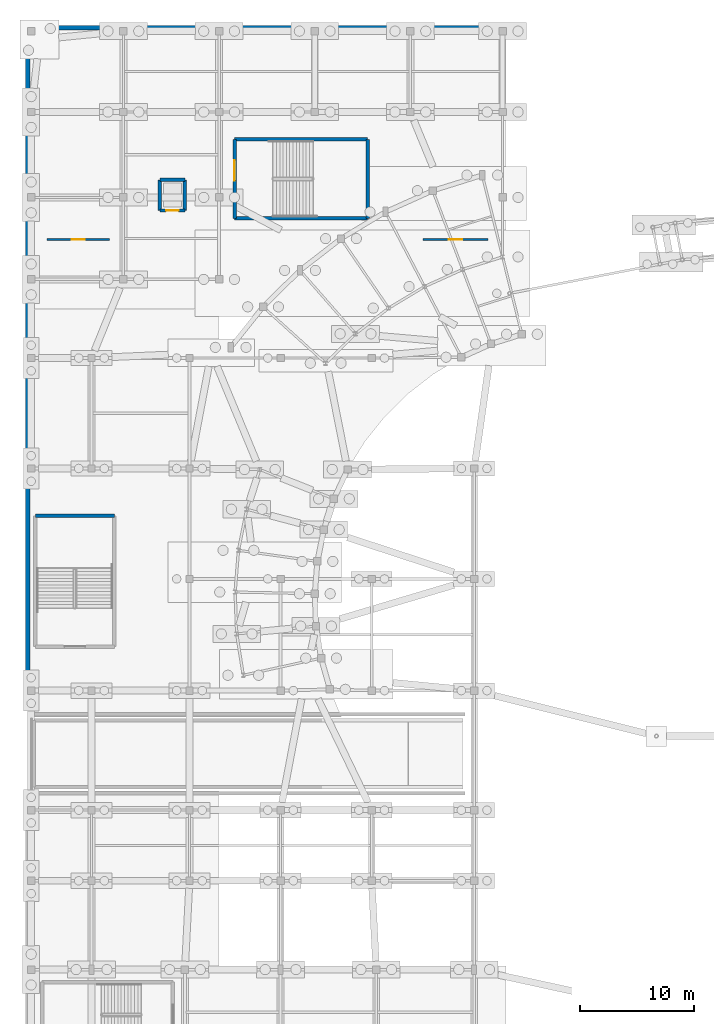
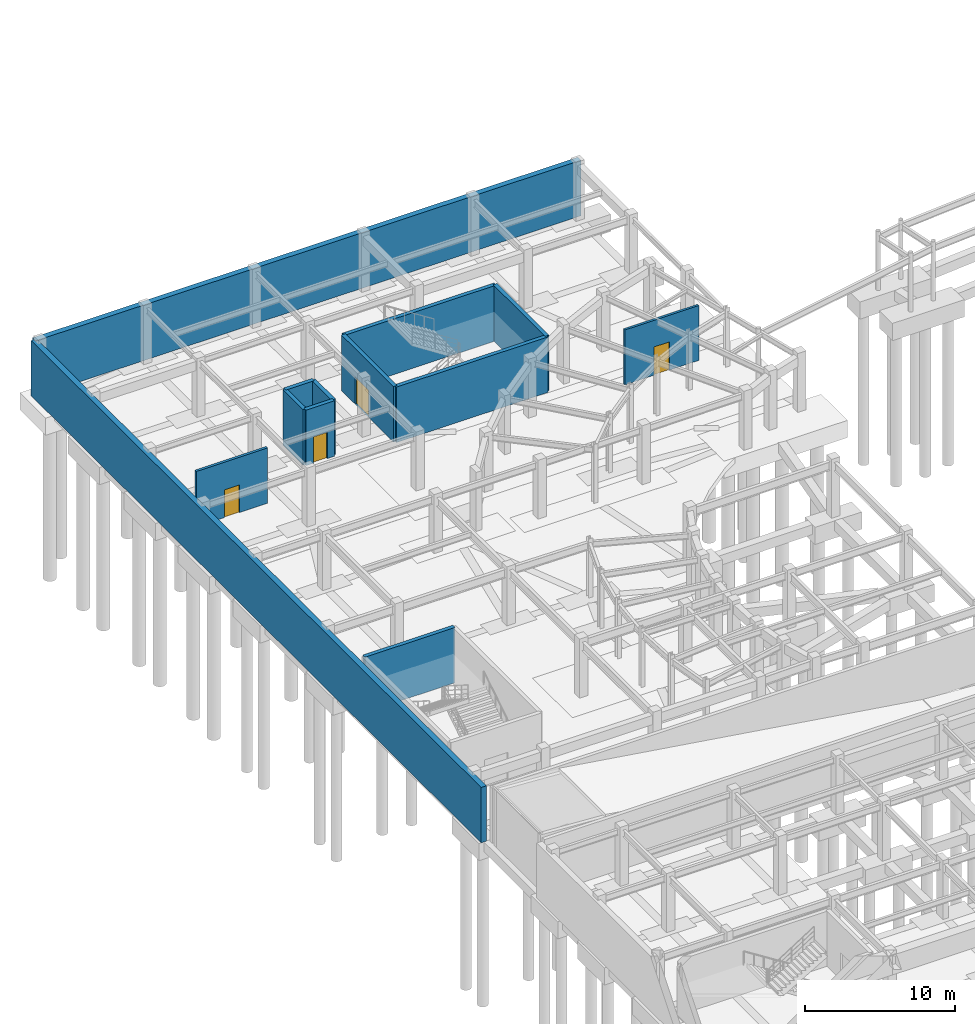
# One storey, part 40 of 68: 13 walls, 4 doors, 4 openings.
"""IFC4 building model written with IfcOpenShell, lengths in metres."""

from ifc_helpers import new_model, si_unit, direction, frame, frame_2d, origin, place, context, subcontext, project, spatial, rectangle, extrude, material, layer, layer_set, type_object, element, fill, save


model = new_model("IFC4")

# Units and contexts
model_context = context("Model", 3, precision=1e-05, world=origin(), true_north=direction((0.0, 1.0)))
body_context = subcontext(model_context, "Body", "Model", "MODEL_VIEW")
ifc_project = project(units=[si_unit("LENGTHUNIT", "METRE"), si_unit("AREAUNIT", "SQUARE_METRE"), si_unit("VOLUMEUNIT", "CUBIC_METRE"), si_unit("PLANEANGLEUNIT", "RADIAN"), si_unit("MASSUNIT", "GRAM", prefix="KILO")], contexts=[model_context])

# Site, building, storey
site_placement = place(None, origin())
site = spatial("IfcSite", under=ifc_project, at=site_placement, CompositionType="ELEMENT")
building_placement = place(site_placement, origin())
building = spatial("IfcBuilding", under=site, at=building_placement, Name="Cinderbank Siding Concert Hall", CompositionType="ELEMENT")
storey_placement = place(building_placement, frame((0.0, 0.0, -4.800048828125)))
storey = spatial("IfcBuildingStorey", under=building, at=storey_placement, Name="B1", CompositionType="ELEMENT", Elevation=-4.800048828125)

# Wall, opening, door
ifc_material_1 = material(Name="Reinforced concrete AS 3600 N50 (50 MPa)", Category="concrete")
ifc_layer_1 = layer(ifc_material_1, 0.300048828125)
ifc_layer_set_1 = layer_set([ifc_layer_1], Name="Reinforced concrete AS 3600 N50 (50 MPa)")
wall_type_1 = type_object("IfcWallType", Name="WL-03 Structural Wall 300mm", PredefinedType="SHEAR", material=ifc_layer_set_1)
wall_1_placement = place(storey_placement, frame((24.9599609375, 101.4599609375, 0.0), z_axis=(0.0, 0.0, 1.0), x_axis=(0.0, 1.0, 0.0)))
wall_1 = element("IfcWall", 1, at=wall_1_placement, inside=storey, type_object=wall_type_1, Name="B1 ST-05 Core Wall ENTRY", PredefinedType="SHEAR", context=body_context, shape_type="SweptSolid", body=[
    extrude(rectangle(XDim=6.93994140625, YDim=0.300048828125, at=frame_2d((3.469970703125, 0.0))), origin(), (0.0, 0.0, 1.0), 4.52001953125),
])
opening_1_placement = place(wall_1_placement, frame((3.320068359375, 0.0, 0.0)))
opening_1 = element("IfcOpeningElement", 2, at=opening_1_placement, cuts=wall_1, Name="Opening D-05", PredefinedType="OPENING", context=body_context, shape_type="SweptSolid", body=[
    extrude(rectangle(XDim=1.800048828125, YDim=2.199951171875, at=frame_2d((0.89990234375, 1.10009765625))), frame((0.0, 0.162109375, 0.0), z_axis=(0.0, -1.0, 0.0), x_axis=(1.0, 0.0, 0.0)), (0.0, 0.0, 1.0), 0.323974609375),
])
ifc_material_2 = material(Name="Galvanised sheet steel acoustic fire door assembly", Category="steel")
door_type_1 = type_object("IfcDoorType", Name="D-05 Interior Door 1800x2200", OperationType="DOUBLE_DOOR_SINGLE_SWING", PredefinedType="DOOR", material=ifc_material_2)
door_1_placement = place(opening_1_placement, origin())
door_1 = element("IfcDoor", 3, at=door_1_placement, inside=storey, type_object=door_type_1, Name="B1 ST-05 Fire Stair Door B1-D029", OperationType="DOUBLE_DOOR_SINGLE_SWING", OverallHeight=2.199951171875, OverallWidth=1.800048828125, PredefinedType="DOOR", context=body_context, shape_type="SweptSolid", body=[
    extrude(rectangle(XDim=1.800048828125, YDim=2.199951171875, at=frame_2d((0.89990234375, 1.10009765625))), frame((0.0, 0.02490234375, 0.0), z_axis=(0.0, -1.0, 0.0), x_axis=(1.0, 0.0, 0.0)), (0.0, 0.0, 1.0), 0.050048828125),
])
fill(opening_1, door_1)

# Walls
wall_2_placement = place(storey_placement, frame((36.639892578125, 108.39990234375, 0.0), z_axis=(0.0, 0.0, 1.0), x_axis=(0.0, -1.0, 0.0)))
element("IfcWall", 4, at=wall_2_placement, inside=storey, type_object=wall_type_1, Name="B1 ST-05 Core Wall FAR", PredefinedType="SHEAR", context=body_context, shape_type="SweptSolid", body=[
    extrude(rectangle(XDim=6.93994140625, YDim=0.300048828125, at=frame_2d((3.469970703125, 0.0))), origin(), (0.0, 0.0, 1.0), 4.52001953125),
])
for number, where, z_axis, x_axis, name in (
    (5, (36.639892578125, 101.4599609375, 0.0), (0.0, 0.0, 1.0), (-1.0, 0.0, 0.0), "B1 ST-05 Core Wall SIDE1"),
    (6, (24.9599609375, 108.39990234375, 0.0), (0.0, 0.0, 1.0), (1.0, 0.0, 0.0), "B1 ST-05 Core Wall SIDE2"),
):
    element("IfcWall", number, at=place(storey_placement, frame(where, z_axis=z_axis, x_axis=x_axis)), inside=storey, type_object=wall_type_1, Name=name, PredefinedType="SHEAR", context=body_context, shape_type="SweptSolid", body=[
        extrude(rectangle(XDim=11.679931640625, YDim=0.300048828125, at=frame_2d((5.83984375, 0.0))), origin(), (0.0, 0.0, 1.0), 4.52001953125),
    ])
wall_3_placement = place(storey_placement, frame((7.4599609375, 75.340087890625, 0.0), z_axis=(0.0, 0.0, 1.0), x_axis=(1.0, 0.0, 0.0)))
element("IfcWall", 7, at=wall_3_placement, inside=storey, type_object=wall_type_1, Name="B1 ST-09 Core Wall FAR", PredefinedType="SHEAR", context=body_context, shape_type="SweptSolid", body=[
    extrude(rectangle(XDim=6.93994140625, YDim=0.300048828125, at=frame_2d((3.469970703125, 0.0))), origin(), (0.0, 0.0, 1.0), 4.5),
])

# Wall, opening, door
wall_4_placement = place(storey_placement, frame((20.60009765625, 102.14990234375, 0.0), z_axis=(0.0, 0.0, 1.0), x_axis=(-1.0, 0.0, 0.0)))
wall_4 = element("IfcWall", 8, at=wall_4_placement, inside=storey, type_object=wall_type_1, Name="B1 LF-06 Shaft Wall -Y", PredefinedType="SHEAR", context=body_context, shape_type="SweptSolid", body=[
    extrude(rectangle(XDim=2.2001953125, YDim=0.300048828125, at=frame_2d((1.10009765625, 0.0))), origin(), (0.0, 0.0, 1.0), 4.52001953125),
])
opening_2_placement = place(wall_4_placement, frame((0.550048828125, 0.0, 0.0)))
opening_2 = element("IfcOpeningElement", 9, at=opening_2_placement, cuts=wall_4, Name="Opening LD-01", PredefinedType="OPENING", context=body_context, shape_type="SweptSolid", body=[
    extrude(rectangle(XDim=1.10009765625, YDim=2.14990234375, at=frame_2d((0.550048828125, 1.074951171875))), frame((0.0, 0.162109375, 0.0), z_axis=(0.0, -1.0, 0.0), x_axis=(1.0, 0.0, 0.0)), (0.0, 0.0, 1.0), 0.323974609375),
])
door_type_2 = type_object("IfcDoorType", Name="LD-01 Interior Door 1100x2150", OperationType="DOUBLE_DOOR_SLIDING", PredefinedType="DOOR", material=ifc_material_2)
door_2_placement = place(opening_2_placement, origin())
door_2 = element("IfcDoor", 10, at=door_2_placement, inside=storey, type_object=door_type_2, Name="B1 LF-06 Sliding Landing Door", OperationType="DOUBLE_DOOR_SLIDING", OverallHeight=2.14990234375, OverallWidth=1.10009765625, PredefinedType="DOOR", context=body_context, shape_type="SweptSolid", body=[
    extrude(rectangle(XDim=1.10009765625, YDim=2.14990234375, at=frame_2d((0.550048828125, 1.074951171875))), frame((0.0, 0.02490234375, 0.0), z_axis=(0.0, -1.0, 0.0), x_axis=(1.0, 0.0, 0.0)), (0.0, 0.0, 1.0), 0.050048828125),
])
fill(opening_2, door_2)

# Walls
wall_5_placement = place(storey_placement, frame((20.60009765625, 104.85009765625, 0.0), z_axis=(0.0, 0.0, 1.0), x_axis=(0.0, -1.0, 0.0)))
element("IfcWall", 11, at=wall_5_placement, inside=storey, type_object=wall_type_1, Name="B1 LF-06 Shaft Wall +X", PredefinedType="SHEAR", context=body_context, shape_type="SweptSolid", body=[
    extrude(rectangle(XDim=2.7001953125, YDim=0.300048828125, at=frame_2d((1.35009765625, 0.0))), origin(), (0.0, 0.0, 1.0), 4.52001953125),
])
wall_6_placement = place(storey_placement, frame((18.39990234375, 104.85009765625, 0.0), z_axis=(0.0, 0.0, 1.0), x_axis=(1.0, 0.0, 0.0)))
element("IfcWall", 12, at=wall_6_placement, inside=storey, type_object=wall_type_1, Name="B1 LF-06 Shaft Wall +Y", PredefinedType="SHEAR", context=body_context, shape_type="SweptSolid", body=[
    extrude(rectangle(XDim=2.2001953125, YDim=0.300048828125, at=frame_2d((1.10009765625, 0.0))), origin(), (0.0, 0.0, 1.0), 4.52001953125),
])
wall_7_placement = place(storey_placement, frame((18.39990234375, 102.14990234375, 0.0), z_axis=(0.0, 0.0, 1.0), x_axis=(0.0, 1.0, 0.0)))
element("IfcWall", 13, at=wall_7_placement, inside=storey, type_object=wall_type_1, Name="B1 LF-06 Shaft Wall -X", PredefinedType="SHEAR", context=body_context, shape_type="SweptSolid", body=[
    extrude(rectangle(XDim=2.7001953125, YDim=0.300048828125, at=frame_2d((1.35009765625, 0.0))), origin(), (0.0, 0.0, 1.0), 4.52001953125),
])
ifc_material_3 = material(Name="Reinforced concrete AS 3600 N40 (40 MPa)", Category="concrete")
ifc_layer_2 = layer(ifc_material_3, 0.419921875)
ifc_layer_set_2 = layer_set([ifc_layer_2], Name="Reinforced concrete AS 3600 N40 (40 MPa)")
wall_type_2 = type_object("IfcWallType", Name="WL-04 Structural Wall 420mm", PredefinedType="SOLIDWALL", material=ifc_layer_set_2)
wall_8_placement = place(storey_placement, frame((48.800048828125, 118.199951171875, 0.0), z_axis=(0.0, 0.0, 1.0), x_axis=(-1.0, 0.0, 0.0)))
element("IfcWall", 14, at=wall_8_placement, inside=storey, type_object=wall_type_2, Name="B1 Structural Wall SW-B1-RET-07", PredefinedType="SOLIDWALL", context=body_context, shape_type="SweptSolid", body=[
    extrude(rectangle(XDim=42.0, YDim=0.419921875, at=frame_2d((21.0, 0.0))), origin(), (0.0, 0.0, 1.0), 4.52001953125),
])
wall_9_placement = place(storey_placement, frame((6.800048828125, 118.199951171875, 0.0), z_axis=(0.0, 0.0, 1.0), x_axis=(0.0, -1.0, 0.0)))
element("IfcWall", 15, at=wall_9_placement, inside=storey, type_object=wall_type_2, Name="B1 Structural Wall SW-B1-RET-08", PredefinedType="SOLIDWALL", context=body_context, shape_type="SweptSolid", body=[
    extrude(rectangle(XDim=60.0, YDim=0.419921875, at=frame_2d((30.0, 0.0))), origin(), (0.0, 0.0, 1.0), 4.5),
])

# Wall, opening, door
ifc_material_4 = material(Name="Acoustic plasterboard on light-gauge steel studs", Category="gypsum")
ifc_layer_3 = layer(ifc_material_4, 0.199951171875)
ifc_layer_set_3 = layer_set([ifc_layer_3], Name="Acoustic plasterboard on light-gauge steel studs")
wall_type_3 = type_object("IfcWallType", Name="WL-12 Interior Wall 200mm", PredefinedType="PARTITIONING", material=ifc_layer_set_3)
wall_10_placement = place(storey_placement, frame((8.5, 99.60009765625, 0.0), z_axis=(0.0, 0.0, 1.0), x_axis=(1.0, 0.0, 0.0)))
wall_10 = element("IfcWall", 16, at=wall_10_placement, inside=storey, type_object=wall_type_3, Name="B1 Partition Bicycle EoT Entry", PredefinedType="PARTITIONING", context=body_context, shape_type="SweptSolid", body=[
    extrude(rectangle(XDim=5.5, YDim=0.199951171875, at=frame_2d((2.75, 0.0))), origin(), (0.0, 0.0, 1.0), 4.505126953125),
])
opening_3_placement = place(wall_10_placement, frame((2.175048828125, 0.0, 0.0)))
opening_3 = element("IfcOpeningElement", 17, at=opening_3_placement, cuts=wall_10, Name="Opening D-11", PredefinedType="OPENING", context=body_context, shape_type="SweptSolid", body=[
    extrude(rectangle(XDim=1.14990234375, YDim=2.25, at=frame_2d((0.574951171875, 1.125))), frame((0.0, 0.11181640625, 0.0), z_axis=(0.0, -1.0, 0.0), x_axis=(1.0, 0.0, 0.0)), (0.0, 0.0, 1.0), 0.223876953125),
])
ifc_material_5 = material(Name="Solid-core spotted gum acoustic timber", Category="wood")
door_type_3 = type_object("IfcDoorType", Name="D-11 Interior Door 1150x2250", OperationType="NOTDEFINED", PredefinedType="DOOR", material=ifc_material_5)
door_3_placement = place(opening_3_placement, origin())
door_3 = element("IfcDoor", 18, at=door_3_placement, inside=storey, type_object=door_type_3, Name="B1 Bicycle EoT Entry Door B1-D235", OperationType="SINGLE_SWING_RIGHT", OverallHeight=2.25, OverallWidth=1.14990234375, PredefinedType="DOOR", context=body_context, shape_type="SweptSolid", body=[
    extrude(rectangle(XDim=1.14990234375, YDim=2.25, at=frame_2d((0.574951171875, 1.125))), frame((0.0, 0.02490234375, 0.0), z_axis=(0.0, -1.0, 0.0), x_axis=(1.0, 0.0, 0.0)), (0.0, 0.0, 1.0), 0.050048828125),
])
fill(opening_3, door_3)

ifc_layer_4 = layer(ifc_material_4, 0.179931640625)
ifc_layer_set_4 = layer_set([ifc_layer_4], Name="Acoustic plasterboard on light-gauge steel studs")
wall_type_4 = type_object("IfcWallType", Name="WL-13 Interior Wall 180mm", PredefinedType="PARTITIONING", material=ifc_layer_set_4)
wall_11_placement = place(storey_placement, frame((41.5, 99.60009765625, 0.0), z_axis=(0.0, 0.0, 1.0), x_axis=(1.0, 0.0, 0.0)))
wall_11 = element("IfcWall", 19, at=wall_11_placement, inside=storey, type_object=wall_type_4, Name="B1 Partition EoT Showers Entry", PredefinedType="PARTITIONING", context=body_context, shape_type="SweptSolid", body=[
    extrude(rectangle(XDim=5.699951171875, YDim=0.179931640625, at=frame_2d((2.85009765625, 0.0))), origin(), (0.0, 0.0, 1.0), 4.465087890625),
])
opening_4_placement = place(wall_11_placement, frame((2.25, 0.0, 0.0)))
opening_4 = element("IfcOpeningElement", 20, at=opening_4_placement, cuts=wall_11, Name="Opening D-12", PredefinedType="OPENING", context=body_context, shape_type="SweptSolid", body=[
    extrude(rectangle(XDim=1.199951171875, YDim=2.300048828125, at=frame_2d((0.60009765625, 1.14990234375))), frame((0.0, 0.10205078125, 0.0), z_axis=(0.0, -1.0, 0.0), x_axis=(1.0, 0.0, 0.0)), (0.0, 0.0, 1.0), 0.203857421875),
])
door_type_4 = type_object("IfcDoorType", Name="D-12 Interior Door 1200x2300", OperationType="NOTDEFINED", PredefinedType="DOOR", material=ifc_material_5)
door_4_placement = place(opening_4_placement, origin())
door_4 = element("IfcDoor", 21, at=door_4_placement, inside=storey, type_object=door_type_4, Name="B1 EoT Showers Entry Door B1-D236", OperationType="SINGLE_SWING_LEFT", OverallHeight=2.300048828125, OverallWidth=1.199951171875, PredefinedType="DOOR", context=body_context, shape_type="SweptSolid", body=[
    extrude(rectangle(XDim=1.199951171875, YDim=2.300048828125, at=frame_2d((0.60009765625, 1.14990234375))), frame((0.0, 0.02490234375, 0.0), z_axis=(0.0, -1.0, 0.0), x_axis=(1.0, 0.0, 0.0)), (0.0, 0.0, 1.0), 0.050048828125),
])
fill(opening_4, door_4)

save(model, "model.ifc")
